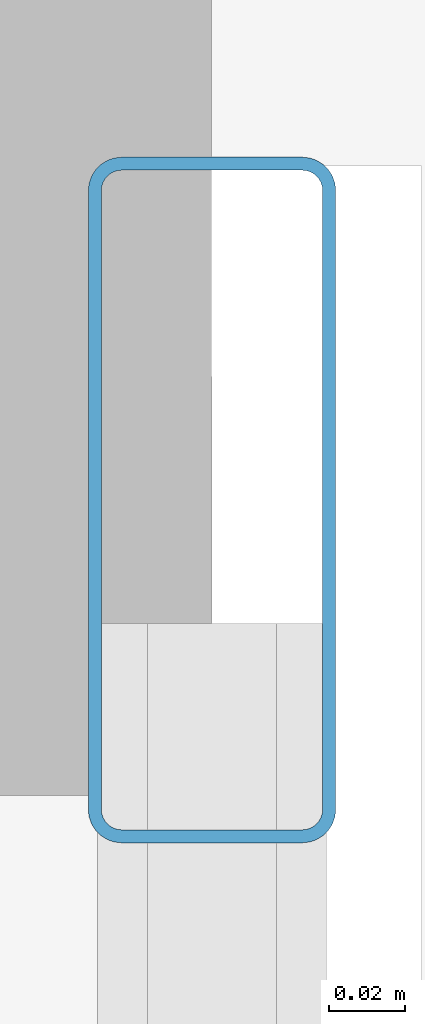
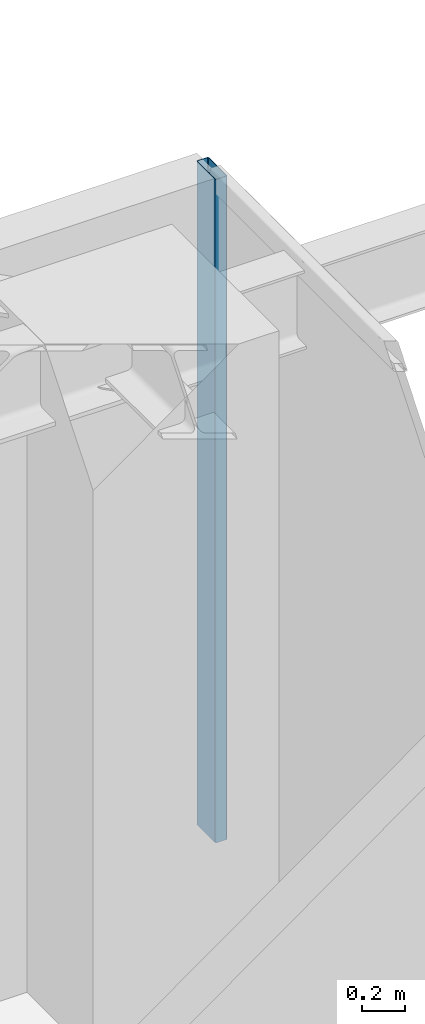
# One storey, part 25 of 40: 1 member, 1 element without a shape of its own.
"""IFC4 building model written with IfcOpenShell, lengths in metres."""

from ifc_helpers import new_model, si_unit, direction, frame, origin, origin_2d, place, context, subcontext, project, spatial, hollow_rectangle, extrude, source, transform, mapped, material, layer, layer_set, material_profile, profile_set, type_object, element, aggregate, save


model = new_model("IFC4")

# Units and contexts
model_context = context("Model", 3, precision=1e-05, world=origin(), true_north=direction((0.0, 1.0)))
body_context = subcontext(model_context, "Body", "Model", "MODEL_VIEW")
ifc_project = project(units=[si_unit("LENGTHUNIT", "METRE"), si_unit("AREAUNIT", "SQUARE_METRE"), si_unit("VOLUMEUNIT", "CUBIC_METRE"), si_unit("PLANEANGLEUNIT", "RADIAN"), si_unit("MASSUNIT", "GRAM", prefix="KILO")], contexts=[model_context])

# Site, building, storey
site_placement = place(None, origin())
site = spatial("IfcSite", under=ifc_project, at=site_placement, CompositionType="ELEMENT")
building_placement = place(site_placement, origin())
building = spatial("IfcBuilding", under=site, at=building_placement, Name="Serunith Strait Residences", CompositionType="ELEMENT")
storey_placement = place(building_placement, frame((0.0, 0.0, 313.699951171875)))
storey = spatial("IfcBuildingStorey", under=building, at=storey_placement, Name="L78", CompositionType="ELEMENT", Elevation=313.699951171875)

# Curtain wall, member
ifc_material = material(Name="Brushed Stainless-Silver Aluminium", Category="aluminium")
ifc_layer = layer(ifc_material, 0.199951171875, Name="Brushed Stainless-Silver Aluminium")
ifc_layer_set = layer_set([ifc_layer], Name="Brushed Stainless-Silver Aluminium")
curtain_wall_type = type_object("IfcCurtainWallType", Name="CW-SYS5", PredefinedType="NOTDEFINED", material=ifc_layer_set)
curtain_wall_placement = place(storey_placement, origin())
curtain_wall = element("IfcCurtainWall", 1, at=curtain_wall_placement, inside=storey, type_object=curtain_wall_type, Name="L78 E Unitised Fritted Curtain Wall", PredefinedType="NOTDEFINED")
ifc_material_profile = material_profile(ifc_material, hollow_rectangle(XDim=0.06494140625, YDim=0.179931640625, WallThickness=0.00341796875, InnerFilletRadius=0.00537109375, OuterFilletRadius=0.0087890625, at=origin_2d()), Name="ALU 180x65x3.5")
ifc_profile_set = profile_set([ifc_material_profile], Name="Brushed Stainless-Silver Aluminium")
member_type = type_object("IfcMemberType", Name="CW-SYS5-MULL", PredefinedType="MULLION", material=ifc_profile_set)
shared_shape = source(origin(), body_context, "Body", "SweptSolid", [
    extrude(hollow_rectangle(XDim=0.06494140625, YDim=0.179931640625, WallThickness=0.00341796875, InnerFilletRadius=0.00537109375, OuterFilletRadius=0.0087890625, at=origin_2d()), origin(), (0.0, 0.0, 1.0), 3.775146484375),
])
member_placement = place(storey_placement, frame((55.60009765625, 40.367431640625, 0.0), z_axis=(0.0, 0.0, 1.0), x_axis=(-1.0, 0.0, 0.0)))
member = element("IfcMember", 2, at=member_placement, type_object=member_type, Name="CW-5 mullion 2", PredefinedType="MULLION", context=body_context, shape_type="MappedRepresentation", body=[
    mapped(shared_shape, transform((0.0, 0.0, 0.0), scale=1.0)),
])
aggregate(curtain_wall, [member])

save(model, "model.ifc")
